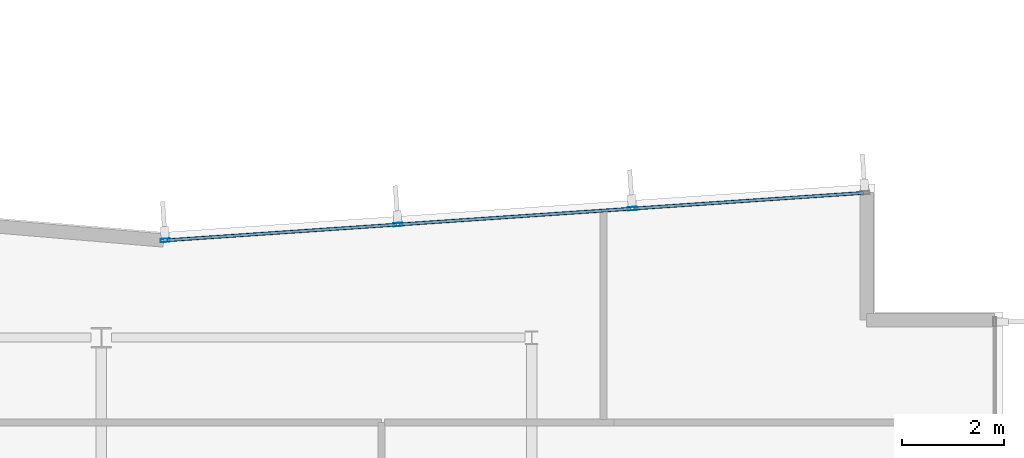
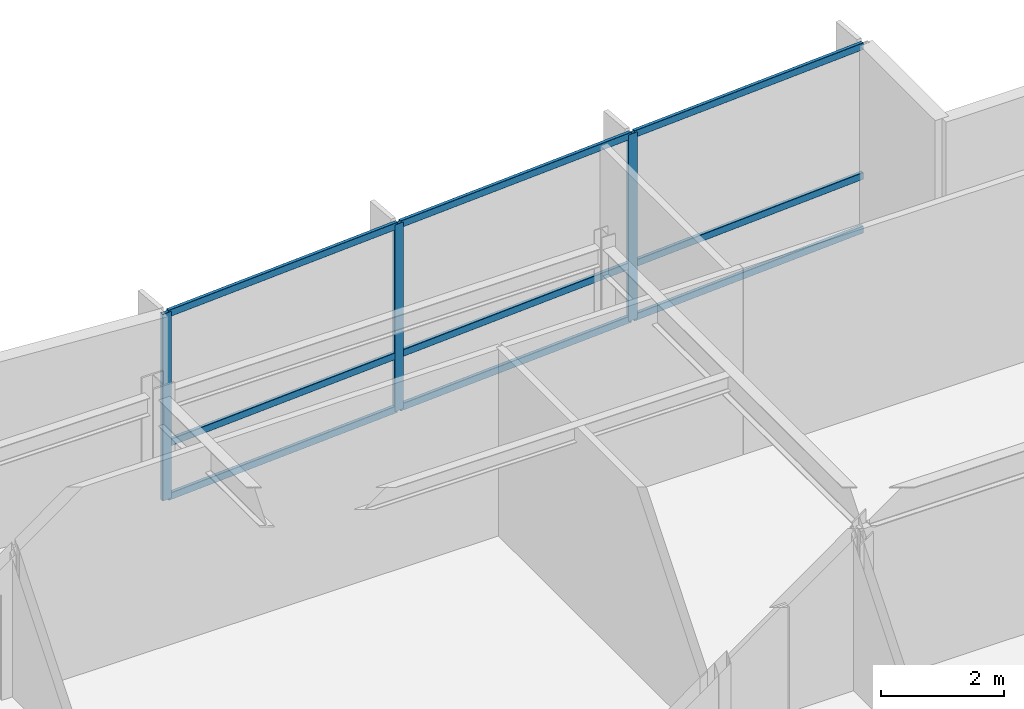
# One storey, part 7 of 17: 12 members, 1 element without a shape of its own.
"""IFC4 building model written with IfcOpenShell, lengths in metres."""

from ifc_helpers import new_model, si_unit, direction, frame, origin, origin_2d, place, context, subcontext, project, spatial, hollow_rectangle, extrude, material, layer, layer_set, material_profile, profile_set, type_object, element, aggregate, save


model = new_model("IFC4")

# Units and contexts
model_context = context("Model", 3, precision=1e-05, world=origin(), true_north=direction((0.0, 1.0)))
body_context = subcontext(model_context, "Body", "Model", "MODEL_VIEW")
ifc_project = project(units=[si_unit("LENGTHUNIT", "METRE"), si_unit("AREAUNIT", "SQUARE_METRE"), si_unit("VOLUMEUNIT", "CUBIC_METRE"), si_unit("PLANEANGLEUNIT", "RADIAN"), si_unit("MASSUNIT", "GRAM", prefix="KILO")], contexts=[model_context])

# Site, building, storey
site_placement = place(None, origin())
site = spatial("IfcSite", under=ifc_project, at=site_placement, CompositionType="ELEMENT")
building_placement = place(site_placement, origin())
building = spatial("IfcBuilding", under=site, at=building_placement, Name="Varnakote Quay Hospital", CompositionType="ELEMENT")
storey_placement = place(building_placement, frame((0.0, 0.0, 184.199951171875)))
storey = spatial("IfcBuildingStorey", under=building, at=storey_placement, Name="L45", CompositionType="ELEMENT", Elevation=184.199951171875)

# Curtain wall, members
ifc_material_1 = material(Name="Anodised aluminium 6063-T6 Bronze", Category="aluminium")
ifc_layer = layer(ifc_material_1, 0.219970703125)
ifc_layer_set = layer_set([ifc_layer], Name="Anodised aluminium 6063-T6 Bronze")
curtain_wall_type = type_object("IfcCurtainWallType", Name="CW-SYS-4", PredefinedType="NOTDEFINED", material=ifc_layer_set)
curtain_wall_placement = place(storey_placement, origin())
curtain_wall = element("IfcCurtainWall", 1, at=curtain_wall_placement, inside=storey, type_object=curtain_wall_type, Name="L45 Unitised Bronze Curtain Wall 2", PredefinedType="NOTDEFINED")
ifc_material_2 = material(Name="Anodised aluminium 6063-T6 Bronze", Category="aluminium")
ifc_material_profile_1 = material_profile(ifc_material_2, hollow_rectangle(XDim=0.06494140625, YDim=0.179931640625, WallThickness=0.00390625, InnerFilletRadius=0.00390625, OuterFilletRadius=0.008056640625, at=origin_2d()), Name="CW-MULL-180x65")
ifc_profile_set_1 = profile_set([ifc_material_profile_1], Name="Anodised aluminium 6063-T6 Bronze")
member_type_1 = type_object("IfcMemberType", Name="CW-MULL-180x65", PredefinedType="MULLION", material=ifc_profile_set_1)
member_1_placement = place(storey_placement, frame((43.96484375, 31.317626953125, 0.0), z_axis=(0.0, 0.0, 1.0), x_axis=(0.067841851077, -0.997696087615, 0.0)))
member_1 = element("IfcMember", 2, at=member_1_placement, type_object=member_type_1, Name="-4-L45-2 mullion 2", PredefinedType="MULLION", context=body_context, shape_type="SweptSolid", body=[
    extrude(hollow_rectangle(XDim=0.06494140625, YDim=0.179931640625, WallThickness=0.00390625, InnerFilletRadius=0.00390625, OuterFilletRadius=0.008056640625, at=origin_2d()), origin(), (0.0, 0.0, 1.0), 3.7099609375),
])
member_2_placement = place(storey_placement, frame((39.389892578125, 31.006591796875, 0.0), z_axis=(0.0, 0.0, 1.0), x_axis=(0.067841851077, -0.997696087615, 0.0)))
member_2 = element("IfcMember", 3, at=member_2_placement, type_object=member_type_1, Name="-4-L45-2 mullion 3", PredefinedType="MULLION", context=body_context, shape_type="SweptSolid", body=[
    extrude(hollow_rectangle(XDim=0.06494140625, YDim=0.179931640625, WallThickness=0.00390625, InnerFilletRadius=0.00390625, OuterFilletRadius=0.008056640625, at=origin_2d()), origin(), (0.0, 0.0, 1.0), 3.7099609375),
])
member_3_placement = place(storey_placement, frame((34.84716796875, 30.69775390625, 0.0), z_axis=(0.0, 0.0, 1.0), x_axis=(0.067841851077, -0.997696087615, 0.0)))
member_3 = element("IfcMember", 4, at=member_3_placement, type_object=member_type_1, Name="-4-L45-2 mullion 4", PredefinedType="MULLION", context=body_context, shape_type="SweptSolid", body=[
    extrude(hollow_rectangle(XDim=0.06494140625, YDim=0.179931640625, WallThickness=0.00390625, InnerFilletRadius=0.00390625, OuterFilletRadius=0.008056640625, at=origin_2d()), origin(), (0.0, 0.0, 1.0), 3.7099609375),
])
ifc_material_3 = material(Name="Anodised aluminium 6063-T6 Bronze", Category="aluminium")
ifc_material_profile_2 = material_profile(ifc_material_3, hollow_rectangle(XDim=0.06494140625, YDim=0.139892578125, WallThickness=0.00390625, InnerFilletRadius=0.00390625, OuterFilletRadius=0.007568359375, at=origin_2d()), Name="CW-TRAN-140x65")
ifc_profile_set_2 = profile_set([ifc_material_profile_2], Name="Anodised aluminium 6063-T6 Bronze")
member_type_2 = type_object("IfcMemberType", Name="CW-TRAN-140x65", PredefinedType="USERDEFINED", material=ifc_profile_set_2)
member_4_placement = place(storey_placement, frame((48.47509765625, 31.62451171875, 0.032470703125), z_axis=(-0.997692996523, -0.067887294022, 0.0), x_axis=(0.067887294022, -0.997692996523, 0.0)))
member_4 = element("IfcMember", 5, at=member_4_placement, type_object=member_type_2, Name="-4-L45-2 transom 1.1", ObjectType="TRANSOM", PredefinedType="USERDEFINED", context=body_context, shape_type="SweptSolid", body=[
    extrude(hollow_rectangle(XDim=0.06494140625, YDim=0.139892578125, WallThickness=0.00390625, InnerFilletRadius=0.00390625, OuterFilletRadius=0.007568359375, at=origin_2d()), origin(), (0.0, 0.0, 1.0), 4.488037109375),
])
member_5_placement = place(storey_placement, frame((48.47509765625, 31.62451171875, 1.10009765625), z_axis=(-0.997692996523, -0.067887294022, 0.0), x_axis=(0.067887294022, -0.997692996523, 0.0)))
member_5 = element("IfcMember", 6, at=member_5_placement, type_object=member_type_2, Name="-4-L45-2 transom 1.2", ObjectType="TRANSOM", PredefinedType="USERDEFINED", context=body_context, shape_type="SweptSolid", body=[
    extrude(hollow_rectangle(XDim=0.06494140625, YDim=0.139892578125, WallThickness=0.00390625, InnerFilletRadius=0.00390625, OuterFilletRadius=0.007568359375, at=origin_2d()), origin(), (0.0, 0.0, 1.0), 4.488037109375),
])
member_6_placement = place(storey_placement, frame((48.47509765625, 31.62451171875, 3.677490234375), z_axis=(-0.997692996523, -0.067887294022, 0.0), x_axis=(0.067887294022, -0.997692996523, 0.0)))
member_6 = element("IfcMember", 7, at=member_6_placement, type_object=member_type_2, Name="-4-L45-2 transom 1.3", ObjectType="TRANSOM", PredefinedType="USERDEFINED", context=body_context, shape_type="SweptSolid", body=[
    extrude(hollow_rectangle(XDim=0.06494140625, YDim=0.139892578125, WallThickness=0.00390625, InnerFilletRadius=0.00390625, OuterFilletRadius=0.007568359375, at=origin_2d()), origin(), (0.0, 0.0, 1.0), 4.488037109375),
])
member_7_placement = place(storey_placement, frame((43.932373046875, 31.3154296875, 0.032470703125), z_axis=(-0.997696835235, -0.06783085553, 0.0), x_axis=(0.06783085553, -0.997696835235, 0.0)))
member_7 = element("IfcMember", 8, at=member_7_placement, type_object=member_type_2, Name="-4-L45-2 transom 2.1", ObjectType="TRANSOM", PredefinedType="USERDEFINED", context=body_context, shape_type="SweptSolid", body=[
    extrude(hollow_rectangle(XDim=0.06494140625, YDim=0.139892578125, WallThickness=0.00390625, InnerFilletRadius=0.00390625, OuterFilletRadius=0.007568359375, at=origin_2d()), origin(), (0.0, 0.0, 1.0), 4.520751953125),
])
member_8_placement = place(storey_placement, frame((43.932373046875, 31.3154296875, 1.10009765625), z_axis=(-0.997696835235, -0.06783085553, 0.0), x_axis=(0.06783085553, -0.997696835235, 0.0)))
member_8 = element("IfcMember", 9, at=member_8_placement, type_object=member_type_2, Name="-4-L45-2 transom 2.2", ObjectType="TRANSOM", PredefinedType="USERDEFINED", context=body_context, shape_type="SweptSolid", body=[
    extrude(hollow_rectangle(XDim=0.06494140625, YDim=0.139892578125, WallThickness=0.00390625, InnerFilletRadius=0.00390625, OuterFilletRadius=0.007568359375, at=origin_2d()), origin(), (0.0, 0.0, 1.0), 4.520751953125),
])
member_9_placement = place(storey_placement, frame((43.932373046875, 31.3154296875, 3.677490234375), z_axis=(-0.997696835235, -0.06783085553, 0.0), x_axis=(0.06783085553, -0.997696835235, 0.0)))
member_9 = element("IfcMember", 10, at=member_9_placement, type_object=member_type_2, Name="-4-L45-2 transom 2.3", ObjectType="TRANSOM", PredefinedType="USERDEFINED", context=body_context, shape_type="SweptSolid", body=[
    extrude(hollow_rectangle(XDim=0.06494140625, YDim=0.139892578125, WallThickness=0.00390625, InnerFilletRadius=0.00390625, OuterFilletRadius=0.007568359375, at=origin_2d()), origin(), (0.0, 0.0, 1.0), 4.520751953125),
])
member_10_placement = place(storey_placement, frame((39.357421875, 31.00439453125, 0.032470703125), z_axis=(-0.997696679404, -0.06783314755, 0.0), x_axis=(0.06783314755, -0.997696679404, 0.0)))
member_10 = element("IfcMember", 11, at=member_10_placement, type_object=member_type_2, Name="-4-L45-2 transom 3.1", ObjectType="TRANSOM", PredefinedType="USERDEFINED", context=body_context, shape_type="SweptSolid", body=[
    extrude(hollow_rectangle(XDim=0.06494140625, YDim=0.139892578125, WallThickness=0.00390625, InnerFilletRadius=0.00390625, OuterFilletRadius=0.007568359375, at=origin_2d()), origin(), (0.0, 0.0, 1.0), 4.488037109375),
])
member_11_placement = place(storey_placement, frame((39.357421875, 31.00439453125, 1.10009765625), z_axis=(-0.997696679404, -0.06783314755, 0.0), x_axis=(0.06783314755, -0.997696679404, 0.0)))
member_11 = element("IfcMember", 12, at=member_11_placement, type_object=member_type_2, Name="-4-L45-2 transom 3.2", ObjectType="TRANSOM", PredefinedType="USERDEFINED", context=body_context, shape_type="SweptSolid", body=[
    extrude(hollow_rectangle(XDim=0.06494140625, YDim=0.139892578125, WallThickness=0.00390625, InnerFilletRadius=0.00390625, OuterFilletRadius=0.007568359375, at=origin_2d()), origin(), (0.0, 0.0, 1.0), 4.488037109375),
])
member_12_placement = place(storey_placement, frame((39.357421875, 31.00439453125, 3.677490234375), z_axis=(-0.997696679404, -0.06783314755, 0.0), x_axis=(0.06783314755, -0.997696679404, 0.0)))
member_12 = element("IfcMember", 13, at=member_12_placement, type_object=member_type_2, Name="-4-L45-2 transom 3.3", ObjectType="TRANSOM", PredefinedType="USERDEFINED", context=body_context, shape_type="SweptSolid", body=[
    extrude(hollow_rectangle(XDim=0.06494140625, YDim=0.139892578125, WallThickness=0.00390625, InnerFilletRadius=0.00390625, OuterFilletRadius=0.007568359375, at=origin_2d()), origin(), (0.0, 0.0, 1.0), 4.488037109375),
])
aggregate(curtain_wall, [member_1, member_2, member_3, member_4, member_5, member_6, member_7, member_8, member_9, member_10, member_11, member_12])

save(model, "model.ifc")
